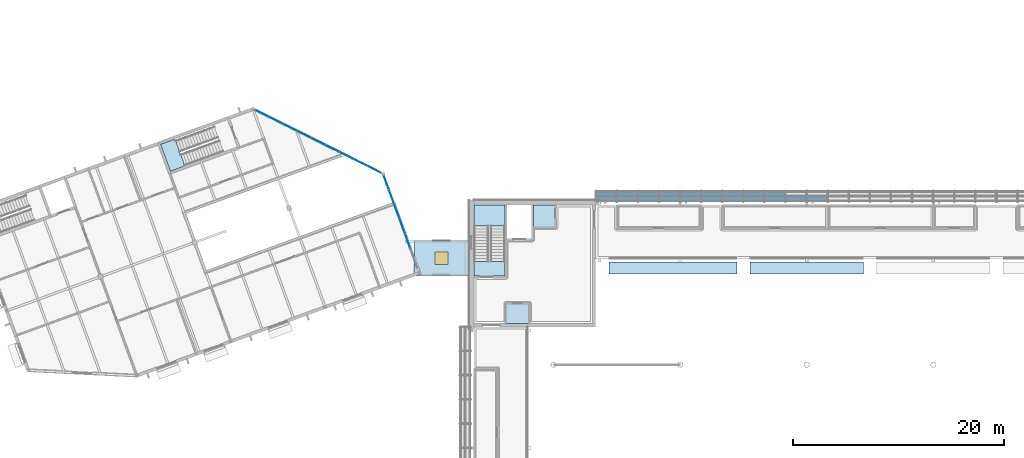
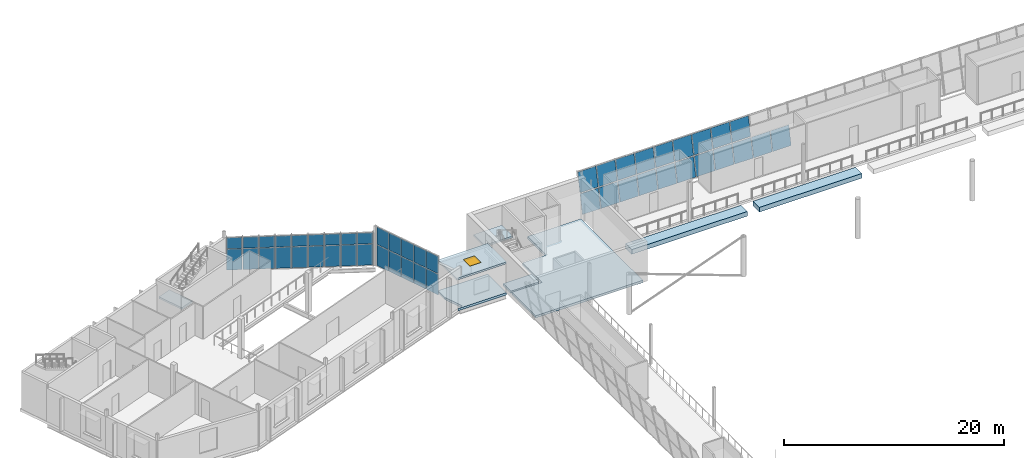
# One storey, part 52 of 115: 48 plates, 8 slabs, 1 window, 1 opening, 5 elements without a shape of their own.
"""IFC4 building model written with IfcOpenShell, lengths in metres."""

from ifc_helpers import new_model, si_unit, direction, frame, origin, origin_2d, place, context, subcontext, project, spatial, polyline, rectangle, outline, extrude, material, layer, layer_set, type_object, element, fill, aggregate, save


model = new_model("IFC4")

# Units and contexts
model_context = context("Model", 3, precision=1e-05, world=origin(), true_north=direction((0.0, 1.0)))
body_context = subcontext(model_context, "Body", "Model", "MODEL_VIEW")
ifc_project = project(units=[si_unit("LENGTHUNIT", "METRE"), si_unit("AREAUNIT", "SQUARE_METRE"), si_unit("VOLUMEUNIT", "CUBIC_METRE"), si_unit("PLANEANGLEUNIT", "RADIAN"), si_unit("MASSUNIT", "GRAM", prefix="KILO")], contexts=[model_context])

# Site, building, storey
site_placement = place(None, origin())
site = spatial("IfcSite", under=ifc_project, at=site_placement, CompositionType="ELEMENT")
building_placement = place(site_placement, origin())
building = spatial("IfcBuilding", under=site, at=building_placement, Name="Windward Yard Aquatics Centre", CompositionType="ELEMENT")
storey_placement = place(building_placement, frame((0.0, 0.0, 5.0)))
storey = spatial("IfcBuildingStorey", under=building, at=storey_placement, Name="L01", CompositionType="ELEMENT", Elevation=5.0)

# Slab
ifc_material_1 = material(Name="Concrete C35/45", Category="concrete")
ifc_layer_1 = layer(ifc_material_1, 0.25)
ifc_layer_set_1 = layer_set([ifc_layer_1], Name="C link floor slab 250")
slab_type_1 = type_object("IfcSlabType", Name="C link floor slab 250", PredefinedType="FLOOR", material=ifc_layer_set_1)
slab_1_placement = place(storey_placement, frame((0.0, 0.0, -0.25)))
element("IfcSlab", 1, at=slab_1_placement, inside=storey, type_object=slab_type_1, Name="Covered foyer bridge floor", PredefinedType="FLOOR", context=body_context, shape_type="SweptSolid", body=[
    extrude(outline(polyline([(46.765380859375, 90.9384765625), (46.765380859375, 92.199951171875), (52.0, 92.199951171875), (52.0, 88.800048828125), (46.884765625, 88.800048828125), (47.466552734375, 89.01171875), (46.765380859375, 90.9384765625)])), origin(), (0.0, 0.0, 1.0), 0.25),
])

# Slab, opening, window
ifc_layer_2 = layer(ifc_material_1, 0.199951171875)
ifc_layer_set_2 = layer_set([ifc_layer_2], Name="C link roof slab 200")
slab_type_2 = type_object("IfcSlabType", Name="C link roof slab 200", PredefinedType="ROOF", material=ifc_layer_set_2)
slab_2_placement = place(storey_placement, frame((0.0, 0.0, 3.199951171875)))
slab_2 = element("IfcSlab", 2, at=slab_2_placement, inside=storey, type_object=slab_type_2, Name="Covered foyer bridge roof", PredefinedType="ROOF", context=body_context, shape_type="SweptSolid", body=[
    extrude(outline(polyline([(46.765380859375, 88.800048828125), (46.765380859375, 92.199951171875), (52.0, 92.199951171875), (52.0, 88.800048828125), (46.765380859375, 88.800048828125)])), origin(), (0.0, 0.0, 1.0), 0.199951171875),
])
opening_placement = place(slab_2_placement, frame((49.383056640625, 90.5, 0.0)))
opening = element("IfcOpeningElement", 3, at=opening_placement, cuts=slab_2, Name="Opening CSK06", PredefinedType="OPENING", context=body_context, shape_type="SweptSolid", body=[
    extrude(rectangle(XDim=1.199951171875, YDim=1.199951171875, at=origin_2d()), origin(), (0.0, 0.0, 1.0), 0.199951171875),
])
ifc_material_2 = material(Name="Aluminium framed laminated glazing", Category="aluminium")
window_type = type_object("IfcWindowType", Name="C skylight 1200X1200", PartitioningType="SINGLE_PANEL", PredefinedType="SKYLIGHT", material=ifc_material_2)
window_placement = place(opening_placement, frame((0.0, 0.0, 0.14990234375)))
window = element("IfcWindow", 4, at=window_placement, inside=storey, type_object=window_type, Name="Roof light 1 of the covered foyer bridge", OverallHeight=1.199951171875, OverallWidth=1.199951171875, PartitioningType="SINGLE_PANEL", PredefinedType="SKYLIGHT", context=body_context, shape_type="SweptSolid", body=[
    extrude(rectangle(XDim=1.199951171875, YDim=1.199951171875, at=origin_2d()), origin(), (0.0, 0.0, 1.0), 0.050048828125),
])
fill(opening, window)

# Curtain wall, plates
ifc_material_3 = material(Name="Aluminium, anodised", Category="aluminium")
ifc_layer_3 = layer(ifc_material_3, 0.14990234375)
ifc_layer_set_3 = layer_set([ifc_layer_3], Name="F curtain wall 150 aluminium")
curtain_wall_type_1 = type_object("IfcCurtainWallType", Name="F curtain wall 150 aluminium", PredefinedType="NOTDEFINED", material=ifc_layer_set_3)
curtain_wall_1_placement = place(storey_placement, origin())
curtain_wall_1 = element("IfcCurtainWall", 5, at=curtain_wall_1_placement, inside=storey, type_object=curtain_wall_type_1, Name="Foyer glazing L01 1", PredefinedType="NOTDEFINED")
ifc_material_4 = material(Name="Laminated glass, low-e coated", Category="glass")
ifc_layer_4 = layer(ifc_material_4, 0.028076171875)
ifc_layer_set_4 = layer_set([ifc_layer_4], Name="F curtain wall glass panel 28")
plate_type_1 = type_object("IfcPlateType", Name="F curtain wall glass panel 28", PredefinedType="CURTAIN_PANEL", material=ifc_layer_set_4)
plate_1_placement = place(storey_placement, frame((46.16552734375, 92.147705078125, 0.06005859375), z_axis=(0.0, 0.0, 1.0), x_axis=(-0.342024657393, 0.939690977787, 0.0)))
plate_1 = element("IfcPlate", 6, at=plate_1_placement, type_object=plate_type_1, Name="FCW1 panel 1.1", PredefinedType="CURTAIN_PANEL", context=body_context, shape_type="SweptSolid", body=[
    extrude(rectangle(XDim=1.386962890625, YDim=0.028076171875, at=origin_2d()), origin(), (0.0, 0.0, 1.0), 2.31005859375),
])
plate_2_placement = place(storey_placement, frame((46.16552734375, 92.147705078125, 2.43017578125), z_axis=(0.0, 0.0, 1.0), x_axis=(-0.342024657393, 0.939690977787, 0.0)))
plate_2 = element("IfcPlate", 7, at=plate_2_placement, type_object=plate_type_1, Name="FCW1 panel 1.2", PredefinedType="CURTAIN_PANEL", context=body_context, shape_type="SweptSolid", body=[
    extrude(rectangle(XDim=1.386962890625, YDim=0.028076171875, at=origin_2d()), origin(), (0.0, 0.0, 1.0), 1.909912109375),
])
plate_3_placement = place(storey_placement, frame((45.66552734375, 93.521484375, 0.06005859375), z_axis=(0.0, 0.0, 1.0), x_axis=(-0.342024657393, 0.939690977787, 0.0)))
plate_3 = element("IfcPlate", 8, at=plate_3_placement, type_object=plate_type_1, Name="FCW1 panel 2.1", PredefinedType="CURTAIN_PANEL", context=body_context, shape_type="SweptSolid", body=[
    extrude(rectangle(XDim=1.4169921875, YDim=0.028076171875, at=origin_2d()), origin(), (0.0, 0.0, 1.0), 2.31005859375),
])
plate_4_placement = place(storey_placement, frame((45.66552734375, 93.521484375, 2.43017578125), z_axis=(0.0, 0.0, 1.0), x_axis=(-0.342024657393, 0.939690977787, 0.0)))
plate_4 = element("IfcPlate", 9, at=plate_4_placement, type_object=plate_type_1, Name="FCW1 panel 2.2", PredefinedType="CURTAIN_PANEL", context=body_context, shape_type="SweptSolid", body=[
    extrude(rectangle(XDim=1.4169921875, YDim=0.028076171875, at=origin_2d()), origin(), (0.0, 0.0, 1.0), 1.909912109375),
])
plate_5_placement = place(storey_placement, frame((45.160400390625, 94.909423828125, 0.06005859375), z_axis=(0.0, 0.0, 1.0), x_axis=(-0.342024657393, 0.939690977787, 0.0)))
plate_5 = element("IfcPlate", 10, at=plate_5_placement, type_object=plate_type_1, Name="FCW1 panel 3.1", PredefinedType="CURTAIN_PANEL", context=body_context, shape_type="SweptSolid", body=[
    extrude(rectangle(XDim=1.4169921875, YDim=0.028076171875, at=origin_2d()), origin(), (0.0, 0.0, 1.0), 2.31005859375),
])
plate_6_placement = place(storey_placement, frame((45.160400390625, 94.909423828125, 2.43017578125), z_axis=(0.0, 0.0, 1.0), x_axis=(-0.342024657393, 0.939690977787, 0.0)))
plate_6 = element("IfcPlate", 11, at=plate_6_placement, type_object=plate_type_1, Name="FCW1 panel 3.2", PredefinedType="CURTAIN_PANEL", context=body_context, shape_type="SweptSolid", body=[
    extrude(rectangle(XDim=1.4169921875, YDim=0.028076171875, at=origin_2d()), origin(), (0.0, 0.0, 1.0), 1.909912109375),
])
plate_7_placement = place(storey_placement, frame((44.6552734375, 96.297119140625, 0.06005859375), z_axis=(0.0, 0.0, 1.0), x_axis=(-0.342024657393, 0.939690977787, 0.0)))
plate_7 = element("IfcPlate", 12, at=plate_7_placement, type_object=plate_type_1, Name="FCW1 panel 4.1", PredefinedType="CURTAIN_PANEL", context=body_context, shape_type="SweptSolid", body=[
    extrude(rectangle(XDim=1.4169921875, YDim=0.028076171875, at=origin_2d()), origin(), (0.0, 0.0, 1.0), 2.31005859375),
])
plate_8_placement = place(storey_placement, frame((44.6552734375, 96.297119140625, 2.43017578125), z_axis=(0.0, 0.0, 1.0), x_axis=(-0.342024657393, 0.939690977787, 0.0)))
plate_8 = element("IfcPlate", 13, at=plate_8_placement, type_object=plate_type_1, Name="FCW1 panel 4.2", PredefinedType="CURTAIN_PANEL", context=body_context, shape_type="SweptSolid", body=[
    extrude(rectangle(XDim=1.4169921875, YDim=0.028076171875, at=origin_2d()), origin(), (0.0, 0.0, 1.0), 1.909912109375),
])
plate_9_placement = place(storey_placement, frame((44.1552734375, 97.6708984375, 0.06005859375), z_axis=(0.0, 0.0, 1.0), x_axis=(-0.342024657393, 0.939690977787, 0.0)))
plate_9 = element("IfcPlate", 14, at=plate_9_placement, type_object=plate_type_1, Name="FCW1 panel 5.1", PredefinedType="CURTAIN_PANEL", context=body_context, shape_type="SweptSolid", body=[
    extrude(rectangle(XDim=1.386962890625, YDim=0.028076171875, at=origin_2d()), origin(), (0.0, 0.0, 1.0), 2.31005859375),
])
plate_10_placement = place(storey_placement, frame((44.1552734375, 97.6708984375, 2.43017578125), z_axis=(0.0, 0.0, 1.0), x_axis=(-0.342024657393, 0.939690977787, 0.0)))
plate_10 = element("IfcPlate", 15, at=plate_10_placement, type_object=plate_type_1, Name="FCW1 panel 5.2", PredefinedType="CURTAIN_PANEL", context=body_context, shape_type="SweptSolid", body=[
    extrude(rectangle(XDim=1.386962890625, YDim=0.028076171875, at=origin_2d()), origin(), (0.0, 0.0, 1.0), 1.909912109375),
])
aggregate(curtain_wall_1, [plate_1, plate_2, plate_3, plate_4, plate_5, plate_6, plate_7, plate_8, plate_9, plate_10])

curtain_wall_2_placement = place(storey_placement, origin())
curtain_wall_2 = element("IfcCurtainWall", 16, at=curtain_wall_2_placement, inside=storey, type_object=curtain_wall_type_1, Name="Foyer glazing L01 2", PredefinedType="NOTDEFINED")
plate_11_placement = place(storey_placement, frame((43.003662109375, 98.921875, 0.06005859375), z_axis=(0.0, 0.0, 1.0), x_axis=(-0.895178919872, 0.445706968105, 0.0)))
plate_11 = element("IfcPlate", 17, at=plate_11_placement, type_object=plate_type_1, Name="FCW2 panel 1.1", PredefinedType="CURTAIN_PANEL", context=body_context, shape_type="SweptSolid", body=[
    extrude(rectangle(XDim=1.400390625, YDim=0.028076171875, at=origin_2d()), origin(), (0.0, 0.0, 1.0), 2.31005859375),
])
plate_12_placement = place(storey_placement, frame((43.003662109375, 98.921875, 2.43017578125), z_axis=(0.0, 0.0, 1.0), x_axis=(-0.895178919872, 0.445706968105, 0.0)))
plate_12 = element("IfcPlate", 18, at=plate_12_placement, type_object=plate_type_1, Name="FCW2 panel 1.2", PredefinedType="CURTAIN_PANEL", context=body_context, shape_type="SweptSolid", body=[
    extrude(rectangle(XDim=1.400390625, YDim=0.028076171875, at=origin_2d()), origin(), (0.0, 0.0, 1.0), 1.212890625),
])
plate_13_placement = place(storey_placement, frame((41.682861328125, 99.57958984375, 0.06005859375), z_axis=(0.0, 0.0, 1.0), x_axis=(-0.895178919872, 0.445706968105, 0.0)))
plate_13 = element("IfcPlate", 19, at=plate_13_placement, type_object=plate_type_1, Name="FCW2 panel 2.1", PredefinedType="CURTAIN_PANEL", context=body_context, shape_type="SweptSolid", body=[
    extrude(rectangle(XDim=1.430419921875, YDim=0.028076171875, at=origin_2d()), origin(), (0.0, 0.0, 1.0), 2.31005859375),
])
plate_14_placement = place(storey_placement, frame((41.682861328125, 99.57958984375, 2.43017578125), z_axis=(0.0, 0.0, 1.0), x_axis=(-0.895178919872, 0.445706968105, 0.0)))
plate_14 = element("IfcPlate", 20, at=plate_14_placement, type_object=plate_type_1, Name="FCW2 panel 2.2", PredefinedType="CURTAIN_PANEL", context=body_context, shape_type="SweptSolid", body=[
    extrude(rectangle(XDim=1.430419921875, YDim=0.028076171875, at=origin_2d()), origin(), (0.0, 0.0, 1.0), 1.212890625),
])
plate_15_placement = place(storey_placement, frame((40.348876953125, 100.24365234375, 0.06005859375), z_axis=(0.0, 0.0, 1.0), x_axis=(-0.895178919872, 0.445706968105, 0.0)))
plate_15 = element("IfcPlate", 21, at=plate_15_placement, type_object=plate_type_1, Name="FCW2 panel 3.1", PredefinedType="CURTAIN_PANEL", context=body_context, shape_type="SweptSolid", body=[
    extrude(rectangle(XDim=1.430419921875, YDim=0.028076171875, at=origin_2d()), origin(), (0.0, 0.0, 1.0), 2.31005859375),
])
plate_16_placement = place(storey_placement, frame((40.348876953125, 100.24365234375, 2.43017578125), z_axis=(0.0, 0.0, 1.0), x_axis=(-0.895178919872, 0.445706968105, 0.0)))
plate_16 = element("IfcPlate", 22, at=plate_16_placement, type_object=plate_type_1, Name="FCW2 panel 3.2", PredefinedType="CURTAIN_PANEL", context=body_context, shape_type="SweptSolid", body=[
    extrude(rectangle(XDim=1.430419921875, YDim=0.028076171875, at=origin_2d()), origin(), (0.0, 0.0, 1.0), 1.212890625),
])
plate_17_placement = place(storey_placement, frame((39.0146484375, 100.907958984375, 0.06005859375), z_axis=(0.0, 0.0, 1.0), x_axis=(-0.895178919872, 0.445706968105, 0.0)))
plate_17 = element("IfcPlate", 23, at=plate_17_placement, type_object=plate_type_1, Name="FCW2 panel 4.1", PredefinedType="CURTAIN_PANEL", context=body_context, shape_type="SweptSolid", body=[
    extrude(rectangle(XDim=1.430419921875, YDim=0.028076171875, at=origin_2d()), origin(), (0.0, 0.0, 1.0), 2.31005859375),
])
plate_18_placement = place(storey_placement, frame((39.0146484375, 100.907958984375, 2.43017578125), z_axis=(0.0, 0.0, 1.0), x_axis=(-0.895178919872, 0.445706968105, 0.0)))
plate_18 = element("IfcPlate", 24, at=plate_18_placement, type_object=plate_type_1, Name="FCW2 panel 4.2", PredefinedType="CURTAIN_PANEL", context=body_context, shape_type="SweptSolid", body=[
    extrude(rectangle(XDim=1.430419921875, YDim=0.028076171875, at=origin_2d()), origin(), (0.0, 0.0, 1.0), 1.212890625),
])
plate_19_placement = place(storey_placement, frame((37.6806640625, 101.572265625, 0.06005859375), z_axis=(0.0, 0.0, 1.0), x_axis=(-0.895178919872, 0.445706968105, 0.0)))
plate_19 = element("IfcPlate", 25, at=plate_19_placement, type_object=plate_type_1, Name="FCW2 panel 5.1", PredefinedType="CURTAIN_PANEL", context=body_context, shape_type="SweptSolid", body=[
    extrude(rectangle(XDim=1.430419921875, YDim=0.028076171875, at=origin_2d()), origin(), (0.0, 0.0, 1.0), 2.31005859375),
])
plate_20_placement = place(storey_placement, frame((37.6806640625, 101.572265625, 2.43017578125), z_axis=(0.0, 0.0, 1.0), x_axis=(-0.895178919872, 0.445706968105, 0.0)))
plate_20 = element("IfcPlate", 26, at=plate_20_placement, type_object=plate_type_1, Name="FCW2 panel 5.2", PredefinedType="CURTAIN_PANEL", context=body_context, shape_type="SweptSolid", body=[
    extrude(rectangle(XDim=1.430419921875, YDim=0.028076171875, at=origin_2d()), origin(), (0.0, 0.0, 1.0), 1.212890625),
])
plate_21_placement = place(storey_placement, frame((36.346435546875, 102.236572265625, 0.06005859375), z_axis=(0.0, 0.0, 1.0), x_axis=(-0.895178919872, 0.445706968105, 0.0)))
plate_21 = element("IfcPlate", 27, at=plate_21_placement, type_object=plate_type_1, Name="FCW2 panel 6.1", PredefinedType="CURTAIN_PANEL", context=body_context, shape_type="SweptSolid", body=[
    extrude(rectangle(XDim=1.430419921875, YDim=0.028076171875, at=origin_2d()), origin(), (0.0, 0.0, 1.0), 2.31005859375),
])
plate_22_placement = place(storey_placement, frame((36.346435546875, 102.236572265625, 2.43017578125), z_axis=(0.0, 0.0, 1.0), x_axis=(-0.895178919872, 0.445706968105, 0.0)))
plate_22 = element("IfcPlate", 28, at=plate_22_placement, type_object=plate_type_1, Name="FCW2 panel 6.2", PredefinedType="CURTAIN_PANEL", context=body_context, shape_type="SweptSolid", body=[
    extrude(rectangle(XDim=1.430419921875, YDim=0.028076171875, at=origin_2d()), origin(), (0.0, 0.0, 1.0), 1.212890625),
])
plate_23_placement = place(storey_placement, frame((35.01220703125, 102.90087890625, 0.06005859375), z_axis=(0.0, 0.0, 1.0), x_axis=(-0.895178919872, 0.445706968105, 0.0)))
plate_23 = element("IfcPlate", 29, at=plate_23_placement, type_object=plate_type_1, Name="FCW2 panel 7.1", PredefinedType="CURTAIN_PANEL", context=body_context, shape_type="SweptSolid", body=[
    extrude(rectangle(XDim=1.430419921875, YDim=0.028076171875, at=origin_2d()), origin(), (0.0, 0.0, 1.0), 2.31005859375),
])
plate_24_placement = place(storey_placement, frame((35.01220703125, 102.90087890625, 2.43017578125), z_axis=(0.0, 0.0, 1.0), x_axis=(-0.895178919872, 0.445706968105, 0.0)))
plate_24 = element("IfcPlate", 30, at=plate_24_placement, type_object=plate_type_1, Name="FCW2 panel 7.2", PredefinedType="CURTAIN_PANEL", context=body_context, shape_type="SweptSolid", body=[
    extrude(rectangle(XDim=1.430419921875, YDim=0.028076171875, at=origin_2d()), origin(), (0.0, 0.0, 1.0), 1.212890625),
])
plate_25_placement = place(storey_placement, frame((33.67822265625, 103.56494140625, 0.06005859375), z_axis=(0.0, 0.0, 1.0), x_axis=(-0.895178919872, 0.445706968105, 0.0)))
plate_25 = element("IfcPlate", 31, at=plate_25_placement, type_object=plate_type_1, Name="FCW2 panel 8.1", PredefinedType="CURTAIN_PANEL", context=body_context, shape_type="SweptSolid", body=[
    extrude(rectangle(XDim=1.430419921875, YDim=0.028076171875, at=origin_2d()), origin(), (0.0, 0.0, 1.0), 2.31005859375),
])
plate_26_placement = place(storey_placement, frame((33.67822265625, 103.56494140625, 2.43017578125), z_axis=(0.0, 0.0, 1.0), x_axis=(-0.895178919872, 0.445706968105, 0.0)))
plate_26 = element("IfcPlate", 32, at=plate_26_placement, type_object=plate_type_1, Name="FCW2 panel 8.2", PredefinedType="CURTAIN_PANEL", context=body_context, shape_type="SweptSolid", body=[
    extrude(rectangle(XDim=1.430419921875, YDim=0.028076171875, at=origin_2d()), origin(), (0.0, 0.0, 1.0), 1.212890625),
])
plate_27_placement = place(storey_placement, frame((32.357421875, 104.22265625, 0.06005859375), z_axis=(0.0, 0.0, 1.0), x_axis=(-0.895178919872, 0.445706968105, 0.0)))
plate_27 = element("IfcPlate", 33, at=plate_27_placement, type_object=plate_type_1, Name="FCW2 panel 9.1", PredefinedType="CURTAIN_PANEL", context=body_context, shape_type="SweptSolid", body=[
    extrude(rectangle(XDim=1.400390625, YDim=0.028076171875, at=origin_2d()), origin(), (0.0, 0.0, 1.0), 2.31005859375),
])
plate_28_placement = place(storey_placement, frame((32.357421875, 104.22265625, 2.43017578125), z_axis=(0.0, 0.0, 1.0), x_axis=(-0.895178919872, 0.445706968105, 0.0)))
plate_28 = element("IfcPlate", 34, at=plate_28_placement, type_object=plate_type_1, Name="FCW2 panel 9.2", PredefinedType="CURTAIN_PANEL", context=body_context, shape_type="SweptSolid", body=[
    extrude(rectangle(XDim=1.400390625, YDim=0.028076171875, at=origin_2d()), origin(), (0.0, 0.0, 1.0), 1.212890625),
])
aggregate(curtain_wall_2, [plate_11, plate_12, plate_13, plate_14, plate_15, plate_16, plate_17, plate_18, plate_19, plate_20, plate_21, plate_22, plate_23, plate_24, plate_25, plate_26, plate_27, plate_28])

# Stair, slab
ifc_material_5 = material(Name="Concrete C40/50", Category="concrete")
stair_type_1 = type_object("IfcStairType", Name="F stair 1200 half-turn Concrete C40/50", PredefinedType="HALF_TURN_STAIR", material=ifc_material_5)
stair_1_placement = place(storey_placement, origin())
stair_1 = element("IfcStair", 35, at=stair_1_placement, inside=storey, type_object=stair_type_1, Name="F.ST.L01.S2", PredefinedType="HALF_TURN_STAIR")
ifc_layer_5 = layer(ifc_material_5, 0.199951171875)
ifc_layer_set_5 = layer_set([ifc_layer_5], Name="F stair landing 200 Concrete C40/50")
slab_type_3 = type_object("IfcSlabType", Name="F stair landing 200 Concrete C40/50", PredefinedType="LANDING", material=ifc_layer_set_5)
slab_3_placement = place(storey_placement, frame((0.0, 0.0, 2.0)))
slab_3 = element("IfcSlab", 36, at=slab_3_placement, type_object=slab_type_3, Name="FS2 landing 1", PredefinedType="LANDING", context=body_context, shape_type="SweptSolid", body=[
    extrude(outline(polyline([(22.74853515625, 101.298583984375), (23.6806640625, 98.738037109375), (25.06201171875, 99.24072265625), (24.1298828125, 101.801513671875), (22.74853515625, 101.298583984375)])), origin(), (0.0, 0.0, 1.0), 0.199951171875),
])
aggregate(stair_1, [slab_3])

# Slabs
ifc_layer_6 = layer(ifc_material_1, 0.25)
ifc_layer_set_6 = layer_set([ifc_layer_6], Name="H Core Floor Concrete C35/45 250")
slab_type_4 = type_object("IfcSlabType", Name="H Core Floor Concrete C35/45 250", PredefinedType="FLOOR", material=ifc_layer_set_6)
slab_4_placement = place(storey_placement, frame((0.0, 0.0, -0.25)))
element("IfcSlab", 37, at=slab_4_placement, inside=storey, type_object=slab_type_4, Name="L01 core floor NW", PredefinedType="FLOOR", context=body_context, shape_type="SweptSolid", body=[
    extrude(outline(polyline([(52.449951171875, 84.300048828125), (63.699951171875, 84.300048828125), (63.699951171875, 95.550048828125), (58.10009765625, 95.550048828125), (58.10009765625, 92.14990234375), (55.60009765625, 92.14990234375), (55.60009765625, 88.60009765625), (52.449951171875, 88.60009765625), (52.449951171875, 84.300048828125)])), origin(), (0.0, 0.0, 1.0), 0.25),
])
slab_5_placement = place(storey_placement, frame((0.0, 0.0, -0.25)))
element("IfcSlab", 38, at=slab_5_placement, inside=storey, type_object=slab_type_4, Name="L01 stair floor landing NW", PredefinedType="FLOOR", context=body_context, shape_type="SweptSolid", body=[
    extrude(outline(polyline([(52.449951171875, 88.800048828125), (55.39990234375, 88.800048828125), (55.39990234375, 90.199951171875), (52.449951171875, 90.199951171875), (52.449951171875, 88.800048828125)])), origin(), (0.0, 0.0, 1.0), 0.25),
])

# Stair, slab
stair_type_2 = type_object("IfcStairType", Name="H Core Stair Concrete C35/45 1400", PredefinedType="HALF_TURN_STAIR", material=ifc_material_1)
stair_2_placement = place(storey_placement, origin())
stair_2 = element("IfcStair", 39, at=stair_2_placement, inside=storey, type_object=stair_type_2, Name="L01 Stair NW", PredefinedType="HALF_TURN_STAIR")
ifc_layer_7 = layer(ifc_material_1, 0.199951171875)
ifc_layer_set_7 = layer_set([ifc_layer_7], Name="H Stair Landing Concrete C35/45 200")
slab_type_5 = type_object("IfcSlabType", Name="H Stair Landing Concrete C35/45 200", PredefinedType="LANDING", material=ifc_layer_set_7)
slab_6_placement = place(storey_placement, frame((0.0, 0.0, 2.0)))
slab_6 = element("IfcSlab", 40, at=slab_6_placement, type_object=slab_type_5, Name="ST3 landing 1", PredefinedType="LANDING", context=body_context, shape_type="SweptSolid", body=[
    extrude(outline(polyline([(52.449951171875, 93.56005859375), (55.39990234375, 93.56005859375), (55.39990234375, 95.550048828125), (52.449951171875, 95.550048828125), (52.449951171875, 93.56005859375)])), origin(), (0.0, 0.0, 1.0), 0.199951171875),
])
aggregate(stair_2, [slab_6])

# Slabs
ifc_layer_8 = layer(ifc_material_1, 0.51611328125)
ifc_layer_set_8 = layer_set([ifc_layer_8], Name="H gangway slab 516 C35/45")
slab_type_6 = type_object("IfcSlabType", Name="H gangway slab 516 C35/45", PredefinedType="FLOOR", material=ifc_layer_set_8)
slab_7_placement = place(storey_placement, frame((0.0, 0.0, -0.51611328125)))
element("IfcSlab", 41, at=slab_7_placement, inside=storey, type_object=slab_type_6, Name="H.GW.N.1", PredefinedType="FLOOR", context=body_context, shape_type="SweptSolid", body=[
    extrude(outline(polyline([(65.25, 89.0), (77.375, 89.0), (77.375, 90.140380859375), (65.25, 90.140380859375), (65.25, 89.0)])), origin(), (0.0, 0.0, 1.0), 0.51611328125),
])
slab_8_placement = place(storey_placement, frame((0.0, 0.0, -0.51611328125)))
element("IfcSlab", 42, at=slab_8_placement, inside=storey, type_object=slab_type_6, Name="H.GW.N.2", PredefinedType="FLOOR", context=body_context, shape_type="SweptSolid", body=[
    extrude(outline(polyline([(78.625, 89.0), (89.375, 89.0), (89.375, 90.140380859375), (78.625, 90.140380859375), (78.625, 89.0)])), origin(), (0.0, 0.0, 1.0), 0.51611328125),
])

# Curtain wall, plates
ifc_material_6 = material(Name="Glass and aluminium curtain wall", Category="aluminium")
ifc_layer_9 = layer(ifc_material_6, 0.179931640625)
ifc_layer_set_9 = layer_set([ifc_layer_9], Name="H curtain wall tier 1 double glazed 8+16+8")
curtain_wall_type_2 = type_object("IfcCurtainWallType", Name="H curtain wall tier 1 double glazed 8+16+8", PredefinedType="NOTDEFINED", material=ifc_layer_set_9)
curtain_wall_3_placement = place(storey_placement, origin())
curtain_wall_3 = element("IfcCurtainWall", 43, at=curtain_wall_3_placement, inside=storey, type_object=curtain_wall_type_2, Name="Tier 1 glazing N L01", PredefinedType="NOTDEFINED")
ifc_material_7 = material(Name="Low-iron glass", Category="glass")
ifc_layer_10 = layer(ifc_material_7, 0.008, Name="Outer pane")
ifc_material_8 = material(Name="Argon-filled cavity")
ifc_layer_11 = layer(ifc_material_8, 0.016, Name="Cavity")
ifc_layer_12 = layer(ifc_material_7, 0.008, Name="Inner pane")
ifc_layer_set_10 = layer_set([ifc_layer_10, ifc_layer_11, ifc_layer_12], Name="H tier 1 glass low-e double glazed unit 32")
plate_type_2 = type_object("IfcPlateType", Name="H tier 1 glass low-e double glazed unit 32", PredefinedType="CURTAIN_PANEL", material=ifc_layer_set_10)
plate_29_placement = place(storey_placement, frame((64.06494140625, 95.913818359375, 0.107666015625), z_axis=(0.0, -0.979937049238, 0.19930724907), x_axis=(1.0, 0.0, 0.0)))
plate_29 = element("IfcPlate", 44, at=plate_29_placement, type_object=plate_type_2, Name="G1NA panel 1.1", PredefinedType="CURTAIN_PANEL", context=body_context, shape_type="SweptSolid", body=[
    extrude(outline(polyline([(0.0, 0.0), (1.902344, 0.0), (1.902344, 2.088533), (0.0, 2.088533), (0.0, 0.0)])), origin(), (0.0, 0.0, -1.0), 0.031982421875),
])
plate_30_placement = place(storey_placement, frame((64.06494140625, 96.35009765625, 2.252197265625), z_axis=(0.0, -0.979920842931, 0.199386914289), x_axis=(1.0, 0.0, 0.0)))
plate_30 = element("IfcPlate", 45, at=plate_30_placement, type_object=plate_type_2, Name="G1NA panel 1.2", PredefinedType="CURTAIN_PANEL", context=body_context, shape_type="SweptSolid", body=[
    extrude(outline(polyline([(0.0, 0.0), (1.902344, 0.0), (1.902344, 2.095045), (0.0, 2.095045), (0.0, 0.0)])), origin(), (0.0, 0.0, -1.0), 0.031982421875),
])
plate_31_placement = place(storey_placement, frame((66.0322265625, 95.913818359375, 0.107666015625), z_axis=(0.0, -0.979937049238, 0.19930724907), x_axis=(1.0, 0.0, 0.0)))
plate_31 = element("IfcPlate", 46, at=plate_31_placement, type_object=plate_type_2, Name="G1NA panel 2.1", PredefinedType="CURTAIN_PANEL", context=body_context, shape_type="SweptSolid", body=[
    extrude(outline(polyline([(0.0, 0.0), (1.934814, 0.0), (1.934814, 2.088533), (0.0, 2.088533), (0.0, 0.0)])), origin(), (0.0, 0.0, -1.0), 0.031982421875),
])
plate_32_placement = place(storey_placement, frame((66.0322265625, 96.35009765625, 2.252197265625), z_axis=(0.0, -0.979920842931, 0.199386914289), x_axis=(1.0, 0.0, 0.0)))
plate_32 = element("IfcPlate", 47, at=plate_32_placement, type_object=plate_type_2, Name="G1NA panel 2.2", PredefinedType="CURTAIN_PANEL", context=body_context, shape_type="SweptSolid", body=[
    extrude(outline(polyline([(0.0, 0.0), (1.934814, 0.0), (1.934814, 2.095045), (0.0, 2.095045), (0.0, 0.0)])), origin(), (0.0, 0.0, -1.0), 0.031982421875),
])
plate_33_placement = place(storey_placement, frame((68.031982421875, 95.913818359375, 0.107666015625), z_axis=(0.0, -0.979937049238, 0.19930724907), x_axis=(1.0, 0.0, 0.0)))
plate_33 = element("IfcPlate", 48, at=plate_33_placement, type_object=plate_type_2, Name="G1NA panel 3.1", PredefinedType="CURTAIN_PANEL", context=body_context, shape_type="SweptSolid", body=[
    extrude(outline(polyline([(0.0, 0.0), (1.934814, 0.0), (1.934814, 2.088533), (0.0, 2.088533), (0.0, 0.0)])), origin(), (0.0, 0.0, -1.0), 0.031982421875),
])
plate_34_placement = place(storey_placement, frame((68.031982421875, 96.35009765625, 2.252197265625), z_axis=(0.0, -0.979920842931, 0.199386914289), x_axis=(1.0, 0.0, 0.0)))
plate_34 = element("IfcPlate", 49, at=plate_34_placement, type_object=plate_type_2, Name="G1NA panel 3.2", PredefinedType="CURTAIN_PANEL", context=body_context, shape_type="SweptSolid", body=[
    extrude(outline(polyline([(0.0, 0.0), (1.934814, 0.0), (1.934814, 2.095045), (0.0, 2.095045), (0.0, 0.0)])), origin(), (0.0, 0.0, -1.0), 0.031982421875),
])
plate_35_placement = place(storey_placement, frame((70.03173828125, 95.913818359375, 0.107666015625), z_axis=(0.0, -0.979937049238, 0.19930724907), x_axis=(1.0, 0.0, 0.0)))
plate_35 = element("IfcPlate", 50, at=plate_35_placement, type_object=plate_type_2, Name="G1NA panel 4.1", PredefinedType="CURTAIN_PANEL", context=body_context, shape_type="SweptSolid", body=[
    extrude(outline(polyline([(0.0, 0.0), (1.934814, 0.0), (1.934814, 2.088533), (0.0, 2.088533), (0.0, 0.0)])), origin(), (0.0, 0.0, -1.0), 0.031982421875),
])
plate_36_placement = place(storey_placement, frame((70.03173828125, 96.35009765625, 2.252197265625), z_axis=(0.0, -0.979920842931, 0.199386914289), x_axis=(1.0, 0.0, 0.0)))
plate_36 = element("IfcPlate", 51, at=plate_36_placement, type_object=plate_type_2, Name="G1NA panel 4.2", PredefinedType="CURTAIN_PANEL", context=body_context, shape_type="SweptSolid", body=[
    extrude(outline(polyline([(0.0, 0.0), (1.934814, 0.0), (1.934814, 2.095045), (0.0, 2.095045), (0.0, 0.0)])), origin(), (0.0, 0.0, -1.0), 0.031982421875),
])
plate_37_placement = place(storey_placement, frame((72.031494140625, 95.913818359375, 0.107666015625), z_axis=(0.0, -0.979937049238, 0.19930724907), x_axis=(1.0, 0.0, 0.0)))
plate_37 = element("IfcPlate", 52, at=plate_37_placement, type_object=plate_type_2, Name="G1NA panel 5.1", PredefinedType="CURTAIN_PANEL", context=body_context, shape_type="SweptSolid", body=[
    extrude(outline(polyline([(0.0, 0.0), (1.93457, 0.0), (1.93457, 2.088533), (0.0, 2.088533), (0.0, 0.0)])), origin(), (0.0, 0.0, -1.0), 0.031982421875),
])
plate_38_placement = place(storey_placement, frame((72.031494140625, 96.35009765625, 2.252197265625), z_axis=(0.0, -0.979920842931, 0.199386914289), x_axis=(1.0, 0.0, 0.0)))
plate_38 = element("IfcPlate", 53, at=plate_38_placement, type_object=plate_type_2, Name="G1NA panel 5.2", PredefinedType="CURTAIN_PANEL", context=body_context, shape_type="SweptSolid", body=[
    extrude(outline(polyline([(0.0, 0.0), (1.93457, 0.0), (1.93457, 2.095045), (0.0, 2.095045), (0.0, 0.0)])), origin(), (0.0, 0.0, -1.0), 0.031982421875),
])
plate_39_placement = place(storey_placement, frame((74.03125, 95.913818359375, 0.107666015625), z_axis=(0.0, -0.979937049238, 0.19930724907), x_axis=(1.0, 0.0, 0.0)))
plate_39 = element("IfcPlate", 54, at=plate_39_placement, type_object=plate_type_2, Name="G1NA panel 6.1", PredefinedType="CURTAIN_PANEL", context=body_context, shape_type="SweptSolid", body=[
    extrude(outline(polyline([(0.0, 0.0), (1.93457, 0.0), (1.93457, 2.088533), (0.0, 2.088533), (0.0, 0.0)])), origin(), (0.0, 0.0, -1.0), 0.031982421875),
])
plate_40_placement = place(storey_placement, frame((74.03125, 96.35009765625, 2.252197265625), z_axis=(0.0, -0.979920842931, 0.199386914289), x_axis=(1.0, 0.0, 0.0)))
plate_40 = element("IfcPlate", 55, at=plate_40_placement, type_object=plate_type_2, Name="G1NA panel 6.2", PredefinedType="CURTAIN_PANEL", context=body_context, shape_type="SweptSolid", body=[
    extrude(outline(polyline([(0.0, 0.0), (1.93457, 0.0), (1.93457, 2.095045), (0.0, 2.095045), (0.0, 0.0)])), origin(), (0.0, 0.0, -1.0), 0.031982421875),
])
plate_41_placement = place(storey_placement, frame((76.031005859375, 95.913818359375, 0.107666015625), z_axis=(0.0, -0.979937049238, 0.19930724907), x_axis=(1.0, 0.0, 0.0)))
plate_41 = element("IfcPlate", 56, at=plate_41_placement, type_object=plate_type_2, Name="G1NA panel 7.1", PredefinedType="CURTAIN_PANEL", context=body_context, shape_type="SweptSolid", body=[
    extrude(outline(polyline([(0.0, 0.0), (1.93457, 0.0), (1.93457, 2.088533), (0.0, 2.088533), (0.0, 0.0)])), origin(), (0.0, 0.0, -1.0), 0.031982421875),
])
plate_42_placement = place(storey_placement, frame((76.031005859375, 96.35009765625, 2.252197265625), z_axis=(0.0, -0.979920842931, 0.199386914289), x_axis=(1.0, 0.0, 0.0)))
plate_42 = element("IfcPlate", 57, at=plate_42_placement, type_object=plate_type_2, Name="G1NA panel 7.2", PredefinedType="CURTAIN_PANEL", context=body_context, shape_type="SweptSolid", body=[
    extrude(outline(polyline([(0.0, 0.0), (1.93457, 0.0), (1.93457, 2.095045), (0.0, 2.095045), (0.0, 0.0)])), origin(), (0.0, 0.0, -1.0), 0.031982421875),
])
plate_43_placement = place(storey_placement, frame((78.03076171875, 95.913818359375, 0.107666015625), z_axis=(0.0, -0.979937049238, 0.19930724907), x_axis=(1.0, 0.0, 0.0)))
plate_43 = element("IfcPlate", 58, at=plate_43_placement, type_object=plate_type_2, Name="G1NA panel 8.1", PredefinedType="CURTAIN_PANEL", context=body_context, shape_type="SweptSolid", body=[
    extrude(outline(polyline([(0.0, 0.0), (1.93457, 0.0), (1.93457, 2.088533), (0.0, 2.088533), (0.0, 0.0)])), origin(), (0.0, 0.0, -1.0), 0.031982421875),
])
plate_44_placement = place(storey_placement, frame((78.03076171875, 96.35009765625, 2.252197265625), z_axis=(0.0, -0.979920842931, 0.199386914289), x_axis=(1.0, 0.0, 0.0)))
plate_44 = element("IfcPlate", 59, at=plate_44_placement, type_object=plate_type_2, Name="G1NA panel 8.2", PredefinedType="CURTAIN_PANEL", context=body_context, shape_type="SweptSolid", body=[
    extrude(outline(polyline([(0.0, 0.0), (1.93457, 0.0), (1.93457, 2.095045), (0.0, 2.095045), (0.0, 0.0)])), origin(), (0.0, 0.0, -1.0), 0.031982421875),
])
plate_45_placement = place(storey_placement, frame((80.0302734375, 95.913818359375, 0.107666015625), z_axis=(0.0, -0.979937049238, 0.19930724907), x_axis=(1.0, 0.0, 0.0)))
plate_45 = element("IfcPlate", 60, at=plate_45_placement, type_object=plate_type_2, Name="G1NA panel 9.1", PredefinedType="CURTAIN_PANEL", context=body_context, shape_type="SweptSolid", body=[
    extrude(outline(polyline([(0.0, 0.0), (1.934814, 0.0), (1.934814, 2.088533), (0.0, 2.088533), (0.0, 0.0)])), origin(), (0.0, 0.0, -1.0), 0.031982421875),
])
plate_46_placement = place(storey_placement, frame((80.0302734375, 96.35009765625, 2.252197265625), z_axis=(0.0, -0.979920842931, 0.199386914289), x_axis=(1.0, 0.0, 0.0)))
plate_46 = element("IfcPlate", 61, at=plate_46_placement, type_object=plate_type_2, Name="G1NA panel 9.2", PredefinedType="CURTAIN_PANEL", context=body_context, shape_type="SweptSolid", body=[
    extrude(outline(polyline([(0.0, 0.0), (1.934814, 0.0), (1.934814, 2.095045), (0.0, 2.095045), (0.0, 0.0)])), origin(), (0.0, 0.0, -1.0), 0.031982421875),
])
plate_47_placement = place(storey_placement, frame((82.030029296875, 95.913818359375, 0.107666015625), z_axis=(0.0, -0.979937049238, 0.19930724907), x_axis=(1.0, 0.0, 0.0)))
plate_47 = element("IfcPlate", 62, at=plate_47_placement, type_object=plate_type_2, Name="G1NA panel 10.1", PredefinedType="CURTAIN_PANEL", context=body_context, shape_type="SweptSolid", body=[
    extrude(outline(polyline([(0.0, 0.0), (1.934814, 0.0), (1.934814, 2.088533), (0.0, 2.088533), (0.0, 0.0)])), origin(), (0.0, 0.0, -1.0), 0.031982421875),
])
plate_48_placement = place(storey_placement, frame((84.02978515625, 95.913818359375, 0.107666015625), z_axis=(0.0, -0.979937049238, 0.19930724907), x_axis=(1.0, 0.0, 0.0)))
plate_48 = element("IfcPlate", 63, at=plate_48_placement, type_object=plate_type_2, Name="G1NA panel 11.1", PredefinedType="CURTAIN_PANEL", context=body_context, shape_type="SweptSolid", body=[
    extrude(outline(polyline([(0.0, 0.0), (1.934814, 0.0), (1.934814, 2.088533), (0.0, 2.088533), (0.0, 0.0)])), origin(), (0.0, 0.0, -1.0), 0.031982421875),
])
aggregate(curtain_wall_3, [plate_29, plate_30, plate_31, plate_32, plate_33, plate_34, plate_35, plate_36, plate_37, plate_38, plate_39, plate_40, plate_41, plate_42, plate_43, plate_44, plate_45, plate_46, plate_47, plate_48])

save(model, "model.ifc")
